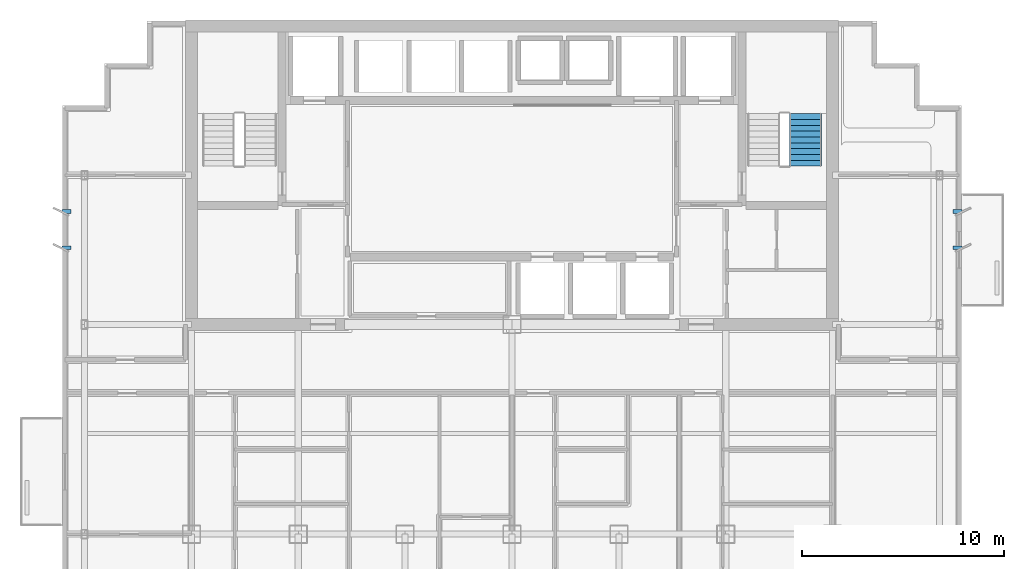
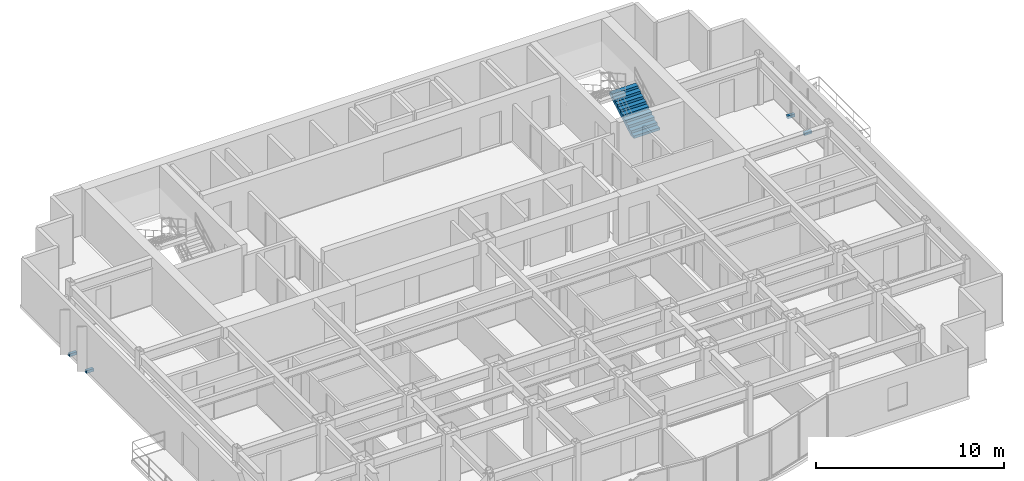
# One storey, part 9 of 11: 4 discrete accessories, 1 stair flight, 1 element without a shape of its own.
"""IFC4 building model written with IfcOpenShell, lengths in metres."""

from ifc_helpers import new_model, si_unit, direction, frame, origin, origin_2d, place, context, subcontext, project, spatial, polyline, rectangle, outline, extrude, source, transform, mapped, material, type_object, element, aggregate, save


model = new_model("IFC4")

# Units and contexts
model_context = context("Model", 3, precision=1e-05, world=origin(), true_north=direction((0.0, 1.0)))
body_context = subcontext(model_context, "Body", "Model", "MODEL_VIEW")
ifc_project = project(units=[si_unit("LENGTHUNIT", "METRE"), si_unit("AREAUNIT", "SQUARE_METRE"), si_unit("VOLUMEUNIT", "CUBIC_METRE"), si_unit("PLANEANGLEUNIT", "RADIAN"), si_unit("MASSUNIT", "GRAM", prefix="KILO")], contexts=[model_context])

# Site, building, storey
site_placement = place(None, origin())
site = spatial("IfcSite", under=ifc_project, at=site_placement, CompositionType="ELEMENT")
building_placement = place(site_placement, origin())
building = spatial("IfcBuilding", under=site, at=building_placement, Name="Qianlan Lanfeng Residences", CompositionType="ELEMENT")
storey_placement = place(building_placement, frame((0.0, 0.0, 152.39990234375)))
storey = spatial("IfcBuildingStorey", under=building, at=storey_placement, Name="L41", CompositionType="ELEMENT", Elevation=152.39990234375)

# Stair, stair flight
ifc_material_1 = material(Name="Concrete C42", Category="concrete")
stair_type = type_object("IfcStairType", Name="STR-MAIN", PredefinedType="HALF_TURN_STAIR", material=ifc_material_1)
stair_placement = place(storey_placement, origin())
stair = element("IfcStair", 1, at=stair_placement, inside=storey, type_object=stair_type, Name="L41 Exit Stair ST-2", PredefinedType="HALF_TURN_STAIR")
stair_flight_type = type_object("IfcStairFlightType", Name="FLT-1720", PredefinedType="STRAIGHT", material=ifc_material_1)
stair_flight_placement = place(storey_placement, frame((41.06005859375, 33.050048828125, 0.0), z_axis=(0.0, 0.0, 1.0), x_axis=(0.0, 1.0, 0.0)))
stair_flight = element("IfcStairFlight", 2, at=stair_flight_placement, type_object=stair_flight_type, Name="ST-2 flight 1", NumberOfRisers=10, NumberOfTreads=9, PredefinedType="STRAIGHT", RiserHeight=0.165, TreadLength=0.29, context=body_context, shape_type="SweptSolid", body=[
    extrude(outline(polyline([(0.0, 0.0), (0.0, 0.1650390625), (0.2900390625, 0.1650390625), (0.2900390625, 0.330078125), (0.580078125, 0.330078125), (0.580078125, 0.4951171875), (0.8701171875, 0.4951171875), (0.8701171875, 0.659912109375), (1.159912109375, 0.659912109375), (1.159912109375, 0.824951171875), (1.449951171875, 0.824951171875), (1.449951171875, 0.989990234375), (1.739990234375, 0.989990234375), (1.739990234375, 1.155029296875), (2.030029296875, 1.155029296875), (2.030029296875, 1.320068359375), (2.320068359375, 1.320068359375), (2.320068359375, 1.485107421875), (2.610107421875, 1.485107421875), (2.610107421875, 1.64990234375), (2.610107421875, 1.278076171875), (0.36376953125, 0.0), (0.0, 0.0)])), frame((0.0, 0.800048828125, 0.0), z_axis=(0.0, -1.0, 0.0), x_axis=(1.0, 0.0, 0.0)), (0.0, 0.0, 1.0), 1.60009765625),
])
aggregate(stair, [stair_flight])

# Discrete accessories
ifc_material_2 = material(Name="Stainless Steel Facade Bracket", Category="steel")
discrete_accessory_type = type_object("IfcDiscreteAccessoryType", Name="BRK-SS-350", PredefinedType="BRACKET", material=ifc_material_2)
shared_shape = source(origin(), body_context, "Body", "SweptSolid", [
    extrude(rectangle(XDim=0.449951171875, YDim=0.179931640625, at=origin_2d()), origin(), (0.0, 0.0, 1.0), 0.179931640625),
])
for number, where, z_axis, x_axis, name in (
    (3, (4.39990234375, 29.0, -0.14990234375), (0.0, 0.0, 1.0), (1.0, 0.0, 0.0), "L41 Raked Solar Fin Support Bracket W1"),
    (4, (4.39990234375, 30.800048828125, -0.14990234375), (0.0, 0.0, 1.0), (1.0, 0.0, 0.0), "L41 Raked Solar Fin Support Bracket W2"),
    (5, (48.60009765625, 29.0, -0.14990234375), (0.0, 0.0, 1.0), (1.0, 0.0, 0.0), "L41 Raked Solar Fin Support Bracket E1"),
    (6, (48.60009765625, 30.800048828125, -0.14990234375), (0.0, 0.0, 1.0), (1.0, 0.0, 0.0), "L41 Raked Solar Fin Support Bracket E2"),
):
    element("IfcDiscreteAccessory", number, at=place(storey_placement, frame(where, z_axis=z_axis, x_axis=x_axis)), inside=storey, type_object=discrete_accessory_type, Name=name, PredefinedType="BRACKET", context=body_context, shape_type="MappedRepresentation", body=[
        mapped(shared_shape, transform((0.0, 0.0, 0.0), scale=1.0)),
    ])

save(model, "model.ifc")
